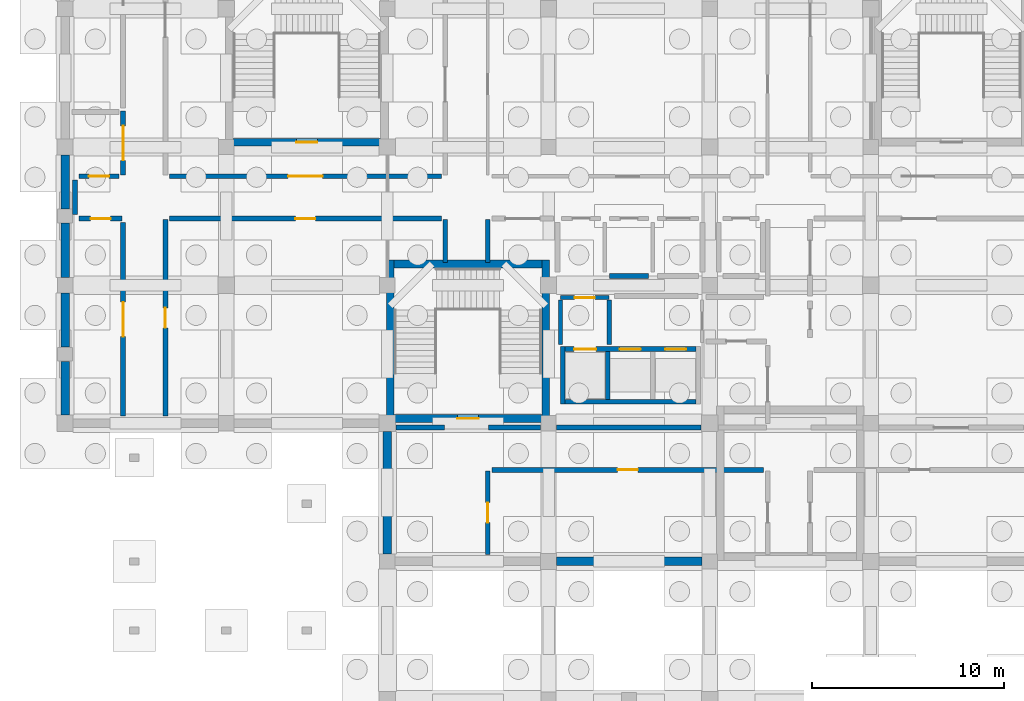
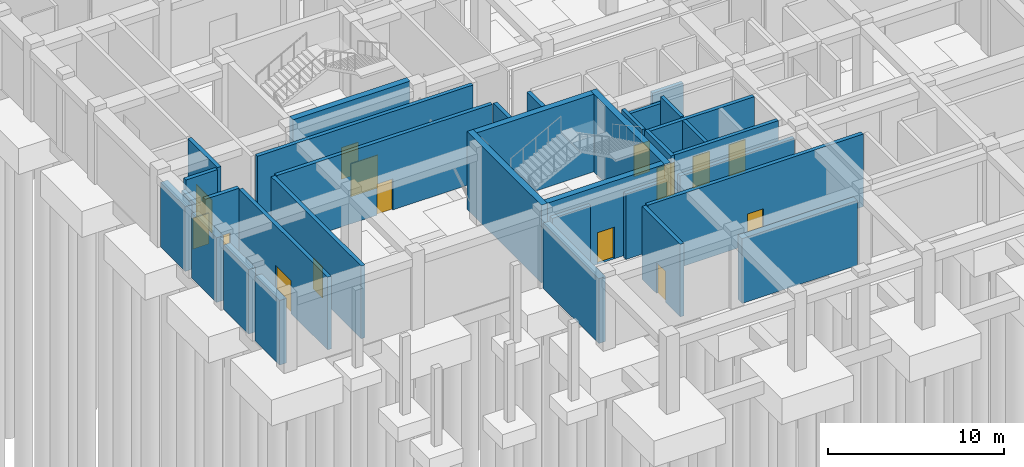
# One storey, part 15 of 32: 34 walls, 15 doors, 15 openings.
"""IFC4 building model written with IfcOpenShell, lengths in metres."""

from ifc_helpers import new_model, si_unit, derived_unit, direction, frame, frame_2d, origin, place, context, subcontext, project, spatial, rectangle, extrude, material, layer, layer_set, type_object, element, fill, save


model = new_model("IFC4")

# Units and contexts
model_context = context("Model", 3, precision=1e-05, world=origin(), true_north=direction((0.0, 1.0)))
body_context = subcontext(model_context, "Body", "Model", "MODEL_VIEW")
ifc_project = project(units=[si_unit("LENGTHUNIT", "METRE"), si_unit("AREAUNIT", "SQUARE_METRE"), si_unit("VOLUMEUNIT", "CUBIC_METRE"), si_unit("PLANEANGLEUNIT", "RADIAN"), si_unit("MASSUNIT", "GRAM", prefix="KILO"), derived_unit("THERMALTRANSMITTANCEUNIT", [(si_unit("POWERUNIT", "WATT"), 1), (si_unit("LENGTHUNIT", "METRE"), -2), (si_unit("THERMODYNAMICTEMPERATUREUNIT", "KELVIN"), -1)])], contexts=[model_context])

# Site, building, storey
site_placement = place(None, origin())
site = spatial("IfcSite", under=ifc_project, at=site_placement, CompositionType="ELEMENT")
building_placement = place(site_placement, origin())
building = spatial("IfcBuilding", under=site, at=building_placement, Name="Veybourne Emporium", CompositionType="ELEMENT")
storey_placement = place(building_placement, frame((0.0, 0.0, -5.39990234375)))
storey = spatial("IfcBuildingStorey", under=building, at=storey_placement, Name="B1", CompositionType="ELEMENT", Elevation=-5.39990234375)

# Walls
ifc_material_1 = material(Name="Concrete C40/50", Category="concrete")
ifc_layer_1 = layer(ifc_material_1, 0.449951171875)
ifc_layer_set_1 = layer_set([ifc_layer_1], Name="Concrete C40/50")
wall_type_1 = type_object("IfcWallType", Name="ExtWall_RW-01", PredefinedType="USERDEFINED", material=ifc_layer_set_1)
wall_1_placement = place(storey_placement, frame((0.0, 14.824951171875, 0.0), z_axis=(0.0, 0.0, 1.0), x_axis=(0.0, 1.0, 0.0)))
element("IfcWall", 1, at=wall_1_placement, inside=storey, type_object=wall_type_1, Name="Basement perimeter retaining wall 002A", ObjectType="RETAININGWALL", PredefinedType="USERDEFINED", context=body_context, shape_type="SweptSolid", body=[
    extrude(rectangle(XDim=2.804931640625, YDim=0.449951171875, at=frame_2d((1.40234375, 0.0))), origin(), (0.0, 0.0, 1.0), 4.5),
])
wall_2_placement = place(storey_placement, frame((0.0, 18.3701171875, 0.0), z_axis=(0.0, 0.0, 1.0), x_axis=(0.0, 1.0, 0.0)))
element("IfcWall", 2, at=wall_2_placement, inside=storey, type_object=wall_type_1, Name="Basement perimeter retaining wall 002B", ObjectType="RETAININGWALL", PredefinedType="USERDEFINED", context=body_context, shape_type="SweptSolid", body=[
    extrude(rectangle(XDim=2.829833984375, YDim=0.449951171875, at=frame_2d((1.4150390625, 0.0))), origin(), (0.0, 0.0, 1.0), 4.5),
])
wall_3_placement = place(storey_placement, frame((0.0, 22.0, 0.0), z_axis=(0.0, 0.0, 1.0), x_axis=(0.0, 1.0, 0.0)))
element("IfcWall", 3, at=wall_3_placement, inside=storey, type_object=wall_type_1, Name="Basement perimeter retaining wall 003A", ObjectType="RETAININGWALL", PredefinedType="USERDEFINED", context=body_context, shape_type="SweptSolid", body=[
    extrude(rectangle(XDim=2.830078125, YDim=0.449951171875, at=frame_2d((1.4150390625, 0.0))), origin(), (0.0, 0.0, 1.0), 4.5),
])
wall_4_placement = place(storey_placement, frame((0.0, 25.570068359375, 0.0), z_axis=(0.0, 0.0, 1.0), x_axis=(0.0, 1.0, 0.0)))
element("IfcWall", 4, at=wall_4_placement, inside=storey, type_object=wall_type_1, Name="Basement perimeter retaining wall 003B", ObjectType="RETAININGWALL", PredefinedType="USERDEFINED", context=body_context, shape_type="SweptSolid", body=[
    extrude(rectangle(XDim=2.804931640625, YDim=0.449951171875, at=frame_2d((1.40234375, 0.0))), origin(), (0.0, 0.0, 1.0), 4.5),
])
wall_5_placement = place(storey_placement, frame((16.800048828125, 7.60009765625, 0.0), z_axis=(0.0, 0.0, 1.0), x_axis=(0.0, 1.0, 0.0)))
element("IfcWall", 5, at=wall_5_placement, inside=storey, type_object=wall_type_1, Name="Basement perimeter retaining wall 015", ObjectType="RETAININGWALL", PredefinedType="USERDEFINED", context=body_context, shape_type="SweptSolid", body=[
    extrude(rectangle(XDim=6.375, YDim=0.449951171875, at=frame_2d((3.1875, 0.0))), origin(), (0.0, 0.0, 1.0), 4.5),
])
wall_6_placement = place(storey_placement, frame((33.199951171875, 7.199951171875, 0.0), z_axis=(0.0, 0.0, 1.0), x_axis=(-1.0, 0.0, 0.0)))
element("IfcWall", 6, at=wall_6_placement, inside=storey, type_object=wall_type_1, Name="Basement perimeter retaining wall 018", ObjectType="RETAININGWALL", PredefinedType="USERDEFINED", context=body_context, shape_type="SweptSolid", body=[
    extrude(rectangle(XDim=7.574951171875, YDim=0.449951171875, at=frame_2d((3.78759765625, 0.0))), origin(), (0.0, 0.0, 1.0), 4.5),
])

# Wall, opening, door
ifc_layer_2 = layer(ifc_material_1, 0.39990234375)
ifc_layer_set_2 = layer_set([ifc_layer_2], Name="Concrete C40/50")
wall_type_2 = type_object("IfcWallType", Name="IntWall_CW-01", PredefinedType="SHEAR", material=ifc_layer_set_2)
wall_7_placement = place(storey_placement, frame((24.85009765625, 14.64990234375, 0.0), z_axis=(0.0, 0.0, 1.0), x_axis=(-1.0, 0.0, 0.0)))
wall_7 = element("IfcWall", 7, at=wall_7_placement, inside=storey, type_object=wall_type_2, Name="Core stair ST-01 south shear wall (B1)", PredefinedType="SHEAR", context=body_context, shape_type="SweptSolid", body=[
    extrude(rectangle(XDim=7.7001953125, YDim=0.39990234375, at=frame_2d((3.85009765625, 0.0))), origin(), (0.0, 0.0, 1.0), 5.39990234375),
])
opening_1_placement = place(wall_7_placement, frame((3.300048828125, 0.0, 0.0)))
opening_1 = element("IfcOpeningElement", 8, at=opening_1_placement, cuts=wall_7, Name="Opening FD-01", PredefinedType="OPENING", context=body_context, shape_type="SweptSolid", body=[
    extrude(rectangle(XDim=1.10009765625, YDim=2.199951171875, at=frame_2d((0.550048828125, 1.10009765625))), frame((0.0, 0.219970703125, 0.0), z_axis=(0.0, -1.0, 0.0), x_axis=(1.0, 0.0, 0.0)), (0.0, 0.0, 1.0), 0.43994140625),
])
ifc_material_2 = material(Name="Patinated Architectural Bronze", Category="bronze")
door_type_1 = type_object("IfcDoorType", Name="FireDoor_FD-01", OperationType="NOTDEFINED", PredefinedType="DOOR", material=ifc_material_2)
door_1_placement = place(opening_1_placement, origin())
door_1 = element("IfcDoor", 9, at=door_1_placement, inside=storey, type_object=door_type_1, Name="Stair ST-01 fire door (B1)", OperationType="SINGLE_SWING_RIGHT", OverallHeight=2.199951171875, OverallWidth=1.10009765625, PredefinedType="DOOR", context=body_context, shape_type="SweptSolid", body=[
    extrude(rectangle(XDim=1.10009765625, YDim=2.199951171875, at=frame_2d((0.550048828125, 1.10009765625))), frame((0.0, 0.02490234375, 0.0), z_axis=(0.0, -1.0, 0.0), x_axis=(1.0, 0.0, 0.0)), (0.0, 0.0, 1.0), 0.050048828125),
])
fill(opening_1, door_1)

# Walls
wall_8_placement = place(storey_placement, frame((17.14990234375, 22.699951171875, 0.0), z_axis=(0.0, 0.0, 1.0), x_axis=(1.0, 0.0, 0.0)))
element("IfcWall", 10, at=wall_8_placement, inside=storey, type_object=wall_type_2, Name="Core stair ST-01 north shear wall (B1)", PredefinedType="SHEAR", context=body_context, shape_type="SweptSolid", body=[
    extrude(rectangle(XDim=7.7001953125, YDim=0.39990234375, at=frame_2d((3.85009765625, 0.0))), origin(), (0.0, 0.0, 1.0), 5.39990234375),
])
for number, where, z_axis, x_axis, name in (
    (11, (16.949951171875, 22.89990234375, 0.0), (0.0, 0.0, 1.0), (0.0, -1.0, 0.0), "Core stair ST-01 west shear wall (B1)"),
    (12, (25.050048828125, 14.449951171875, 0.0), (0.0, 0.0, 1.0), (0.0, 1.0, 0.0), "Core stair ST-01 east shear wall (B1)"),
):
    element("IfcWall", number, at=place(storey_placement, frame(where, z_axis=z_axis, x_axis=x_axis)), inside=storey, type_object=wall_type_2, Name=name, PredefinedType="SHEAR", context=body_context, shape_type="SweptSolid", body=[
        extrude(rectangle(XDim=8.449951171875, YDim=0.39990234375, at=frame_2d((4.22509765625, 0.0))), origin(), (0.0, 0.0, 1.0), 5.39990234375),
    ])

# Wall, opening, door
wall_9_placement = place(storey_placement, frame((16.449951171875, 29.050048828125, 0.0), z_axis=(0.0, 0.0, 1.0), x_axis=(-1.0, 0.0, 0.0)))
wall_9 = element("IfcWall", 13, at=wall_9_placement, inside=storey, type_object=wall_type_2, Name="Core stair ST-02 south shear wall (B1)", PredefinedType="SHEAR", context=body_context, shape_type="SweptSolid", body=[
    extrude(rectangle(XDim=7.699951171875, YDim=0.39990234375, at=frame_2d((3.85009765625, 0.0))), origin(), (0.0, 0.0, 1.0), 5.39990234375),
])
opening_2_placement = place(wall_9_placement, frame((3.300048828125, 0.0, 0.0)))
opening_2 = element("IfcOpeningElement", 14, at=opening_2_placement, cuts=wall_9, Name="Opening FD-01", PredefinedType="OPENING", context=body_context, shape_type="SweptSolid", body=[
    extrude(rectangle(XDim=1.10009765625, YDim=2.199951171875, at=frame_2d((0.550048828125, 1.10009765625))), frame((0.0, 0.219970703125, 0.0), z_axis=(0.0, -1.0, 0.0), x_axis=(1.0, 0.0, 0.0)), (0.0, 0.0, 1.0), 0.43994140625),
])
door_2_placement = place(opening_2_placement, origin())
door_2 = element("IfcDoor", 15, at=door_2_placement, inside=storey, type_object=door_type_1, Name="Stair ST-02 fire door (B1)", OperationType="SINGLE_SWING_LEFT", OverallHeight=2.199951171875, OverallWidth=1.10009765625, PredefinedType="DOOR", context=body_context, shape_type="SweptSolid", body=[
    extrude(rectangle(XDim=1.10009765625, YDim=2.199951171875, at=frame_2d((0.550048828125, 1.10009765625))), frame((0.0, 0.02490234375, 0.0), z_axis=(0.0, -1.0, 0.0), x_axis=(1.0, 0.0, 0.0)), (0.0, 0.0, 1.0), 0.050048828125),
])
fill(opening_2, door_2)

# Wall, openings, doors
ifc_layer_3 = layer(ifc_material_1, 0.239990234375)
ifc_layer_set_3 = layer_set([ifc_layer_3], Name="Concrete C40/50")
wall_type_3 = type_object("IfcWallType", Name="IntWall_CW-04", PredefinedType="SHEAR", material=ifc_layer_set_3)
wall_10_placement = place(storey_placement, frame((32.8798828125, 18.27001953125, 0.0), z_axis=(0.0, 0.0, 1.0), x_axis=(-1.0, 0.0, 0.0)))
wall_10 = element("IfcWall", 16, at=wall_10_placement, inside=storey, type_object=wall_type_3, Name="Lift core C1 north shaft wall (B1)", PredefinedType="SHEAR", context=body_context, shape_type="SweptSolid", body=[
    extrude(rectangle(XDim=6.81982421875, YDim=0.239990234375, at=frame_2d((3.409912109375, 0.0))), origin(), (0.0, 0.0, 1.0), 5.0498046875),
])
opening_3_placement = place(wall_10_placement, frame((5.195068359375, 0.0, 0.0)))
opening_3 = element("IfcOpeningElement", 17, at=opening_3_placement, cuts=wall_10, Name="Opening LD-02", PredefinedType="OPENING", context=body_context, shape_type="SweptSolid", body=[
    extrude(rectangle(XDim=1.14990234375, YDim=2.25, at=frame_2d((0.574951171875, 1.125))), frame((0.0, 0.14013671875, 0.0), z_axis=(0.0, -1.0, 0.0), x_axis=(1.0, 0.0, 0.0)), (0.0, 0.0, 1.0), 0.280029296875),
])
opening_4_placement = place(wall_10_placement, frame((2.8701171875, 0.0, 0.0)))
opening_4 = element("IfcOpeningElement", 18, at=opening_4_placement, cuts=wall_10, Name="Opening LD-01", PredefinedType="OPENING", context=body_context, shape_type="SweptSolid", body=[
    extrude(rectangle(XDim=1.10009765625, YDim=2.199951171875, at=frame_2d((0.550048828125, 1.10009765625))), frame((0.0, 0.14013671875, 0.0), z_axis=(0.0, -1.0, 0.0), x_axis=(1.0, 0.0, 0.0)), (0.0, 0.0, 1.0), 0.280029296875),
])
opening_5_placement = place(wall_10_placement, frame((0.510009765625, 0.0, 0.0)))
opening_5 = element("IfcOpeningElement", 19, at=opening_5_placement, cuts=wall_10, Name="Opening LD-01", PredefinedType="OPENING", context=body_context, shape_type="SweptSolid", body=[
    extrude(rectangle(XDim=1.10009765625, YDim=2.199951171875, at=frame_2d((0.550048828125, 1.10009765625))), frame((0.0, 0.14013671875, 0.0), z_axis=(0.0, -1.0, 0.0), x_axis=(1.0, 0.0, 0.0)), (0.0, 0.0, 1.0), 0.280029296875),
])
door_type_2 = type_object("IfcDoorType", Name="FireDoor_LD-01", OperationType="DOUBLE_DOOR_SLIDING", PredefinedType="DOOR", material=ifc_material_2)
door_3_placement = place(opening_4_placement, origin())
door_3 = element("IfcDoor", 20, at=door_3_placement, inside=storey, type_object=door_type_2, Name="Lift PL-01 sliding landing door (B1)", OperationType="DOUBLE_DOOR_SLIDING", OverallHeight=2.199951171875, OverallWidth=1.10009765625, PredefinedType="DOOR", context=body_context, shape_type="SweptSolid", body=[
    extrude(rectangle(XDim=1.10009765625, YDim=2.199951171875, at=frame_2d((0.550048828125, 1.10009765625))), frame((0.0, 0.02490234375, 0.0), z_axis=(0.0, -1.0, 0.0), x_axis=(1.0, 0.0, 0.0)), (0.0, 0.0, 1.0), 0.050048828125),
])
fill(opening_4, door_3)
door_4_placement = place(opening_5_placement, origin())
door_4 = element("IfcDoor", 21, at=door_4_placement, inside=storey, type_object=door_type_2, Name="Lift PL-02 sliding landing door (B1)", OperationType="DOUBLE_DOOR_SLIDING", OverallHeight=2.199951171875, OverallWidth=1.10009765625, PredefinedType="DOOR", context=body_context, shape_type="SweptSolid", body=[
    extrude(rectangle(XDim=1.10009765625, YDim=2.199951171875, at=frame_2d((0.550048828125, 1.10009765625))), frame((0.0, 0.02490234375, 0.0), z_axis=(0.0, -1.0, 0.0), x_axis=(1.0, 0.0, 0.0)), (0.0, 0.0, 1.0), 0.050048828125),
])
fill(opening_5, door_4)
door_type_3 = type_object("IfcDoorType", Name="FireDoor_LD-02", OperationType="SLIDING_TO_LEFT", PredefinedType="DOOR", material=ifc_material_2)
door_5_placement = place(opening_3_placement, origin())
door_5 = element("IfcDoor", 22, at=door_5_placement, inside=storey, type_object=door_type_3, Name="Lift FFL-01 sliding landing door (B1)", OperationType="SLIDING_TO_LEFT", OverallHeight=2.25, OverallWidth=1.14990234375, PredefinedType="DOOR", context=body_context, shape_type="SweptSolid", body=[
    extrude(rectangle(XDim=1.14990234375, YDim=2.25, at=frame_2d((0.574951171875, 1.125))), frame((0.0, 0.02490234375, 0.0), z_axis=(0.0, -1.0, 0.0), x_axis=(1.0, 0.0, 0.0)), (0.0, 0.0, 1.0), 0.050048828125),
])
fill(opening_3, door_5)

# Walls
wall_11_placement = place(storey_placement, frame((26.06005859375, 15.530029296875, 0.0), z_axis=(0.0, 0.0, 1.0), x_axis=(1.0, 0.0, 0.0)))
element("IfcWall", 23, at=wall_11_placement, inside=storey, type_object=wall_type_3, Name="Lift core C1 south shaft wall (B1)", PredefinedType="SHEAR", context=body_context, shape_type="SweptSolid", body=[
    extrude(rectangle(XDim=6.81982421875, YDim=0.239990234375, at=frame_2d((3.409912109375, 0.0))), origin(), (0.0, 0.0, 1.0), 5.0498046875),
])
wall_12_placement = place(storey_placement, frame((25.93994140625, 18.389892578125, 0.0), z_axis=(0.0, 0.0, 1.0), x_axis=(0.0, -1.0, 0.0)))
element("IfcWall", 24, at=wall_12_placement, inside=storey, type_object=wall_type_3, Name="Lift core C1 west shaft wall (B1)", PredefinedType="SHEAR", context=body_context, shape_type="SweptSolid", body=[
    extrude(rectangle(XDim=2.97998046875, YDim=0.239990234375, at=frame_2d((1.489990234375, 0.0))), origin(), (0.0, 0.0, 1.0), 5.0498046875),
])
wall_13_placement = place(storey_placement, frame((28.280029296875, 15.64990234375, 0.0), z_axis=(0.0, 0.0, 1.0), x_axis=(0.0, 1.0, 0.0)))
element("IfcWall", 25, at=wall_13_placement, inside=storey, type_object=wall_type_3, Name="Lift core C1 divider wall 1 (B1)", PredefinedType="SHEAR", context=body_context, shape_type="SweptSolid", body=[
    extrude(rectangle(XDim=2.5, YDim=0.239990234375, at=frame_2d((1.25, 0.0))), origin(), (0.0, 0.0, 1.0), 5.0498046875),
])
ifc_material_3 = material(Name="Concrete C32/40", Category="concrete")
ifc_layer_4 = layer(ifc_material_3, 0.25)
ifc_layer_set_4 = layer_set([ifc_layer_4], Name="Concrete C32/40")
wall_type_4 = type_object("IfcWallType", Name="IntWall_FW-01", PredefinedType="SOLIDWALL", material=ifc_layer_set_4)
wall_14_placement = place(storey_placement, frame((22.080078125, 14.179931640625, 0.0), z_axis=(0.0, 0.0, 1.0), x_axis=(1.0, 0.0, 0.0)))
element("IfcWall", 26, at=wall_14_placement, inside=storey, type_object=wall_type_4, Name="B1 interior partition FW-01 #018", PredefinedType="SOLIDWALL", context=body_context, shape_type="SweptSolid", body=[
    extrude(rectangle(XDim=2.699951171875, YDim=0.25, at=frame_2d((1.35009765625, 0.0))), origin(), (0.0, 0.0, 1.0), 4.5498046875),
])
wall_15_placement = place(storey_placement, frame((25.6201171875, 14.179931640625, 0.0), z_axis=(0.0, 0.0, 1.0), x_axis=(1.0, 0.0, 0.0)))
element("IfcWall", 27, at=wall_15_placement, inside=storey, type_object=wall_type_4, Name="B1 interior partition FW-01 #019", PredefinedType="SOLIDWALL", context=body_context, shape_type="SweptSolid", body=[
    extrude(rectangle(XDim=7.534912109375, YDim=0.25, at=frame_2d((3.767578125, 0.0))), origin(), (0.0, 0.0, 1.0), 4.5498046875),
])

# Wall, opening, door
wall_16_placement = place(storey_placement, frame((22.239990234375, 11.969970703125, 0.0), z_axis=(0.0, 0.0, 1.0), x_axis=(1.0, 0.0, 0.0)))
wall_16 = element("IfcWall", 28, at=wall_16_placement, inside=storey, type_object=wall_type_4, Name="B1 interior partition FW-01 #028", PredefinedType="SOLIDWALL", context=body_context, shape_type="SweptSolid", body=[
    extrude(rectangle(XDim=14.169921875, YDim=0.25, at=frame_2d((7.0849609375, 0.0))), origin(), (0.0, 0.0, 1.0), 5.0498046875),
])
opening_6_placement = place(wall_16_placement, frame((6.56005859375, 0.0, 0.0)))
opening_6 = element("IfcOpeningElement", 29, at=opening_6_placement, cuts=wall_16, Name="Opening FD-02", PredefinedType="OPENING", context=body_context, shape_type="SweptSolid", body=[
    extrude(rectangle(XDim=1.050048828125, YDim=2.14990234375, at=frame_2d((0.52490234375, 1.074951171875))), frame((0.0, 0.14501953125, 0.0), z_axis=(0.0, -1.0, 0.0), x_axis=(1.0, 0.0, 0.0)), (0.0, 0.0, 1.0), 0.2900390625),
])
door_type_4 = type_object("IfcDoorType", Name="FireDoor_FD-02", OperationType="NOTDEFINED", PredefinedType="DOOR", material=ifc_material_2)
door_6_placement = place(opening_6_placement, origin())
door_6 = element("IfcDoor", 30, at=door_6_placement, inside=storey, type_object=door_type_4, Name="B1 interior door FD-02 (PART-B1-028)", OperationType="SINGLE_SWING_RIGHT", OverallHeight=2.14990234375, OverallWidth=1.050048828125, PredefinedType="DOOR", context=body_context, shape_type="SweptSolid", body=[
    extrude(rectangle(XDim=1.050048828125, YDim=2.14990234375, at=frame_2d((0.52490234375, 1.074951171875))), frame((0.0, 0.02490234375, 0.0), z_axis=(0.0, -1.0, 0.0), x_axis=(1.0, 0.0, 0.0)), (0.0, 0.0, 1.0), 0.050048828125),
])
fill(opening_6, door_6)

wall_17_placement = place(storey_placement, frame((5.43994140625, 25.070068359375, 0.0), z_axis=(0.0, 0.0, 1.0), x_axis=(1.0, 0.0, 0.0)))
wall_17 = element("IfcWall", 31, at=wall_17_placement, inside=storey, type_object=wall_type_4, Name="B1 interior partition FW-01 #029", PredefinedType="SOLIDWALL", context=body_context, shape_type="SweptSolid", body=[
    extrude(rectangle(XDim=14.170166015625, YDim=0.25, at=frame_2d((7.0849609375, 0.0))), origin(), (0.0, 0.0, 1.0), 5.0498046875),
])
opening_7_placement = place(wall_17_placement, frame((6.56005859375, 0.0, 0.0)))
opening_7 = element("IfcOpeningElement", 32, at=opening_7_placement, cuts=wall_17, Name="Opening FD-02", PredefinedType="OPENING", context=body_context, shape_type="SweptSolid", body=[
    extrude(rectangle(XDim=1.050048828125, YDim=2.14990234375, at=frame_2d((0.52490234375, 1.074951171875))), frame((0.0, 0.14501953125, 0.0), z_axis=(0.0, -1.0, 0.0), x_axis=(1.0, 0.0, 0.0)), (0.0, 0.0, 1.0), 0.2900390625),
])
door_7_placement = place(opening_7_placement, origin())
door_7 = element("IfcDoor", 33, at=door_7_placement, inside=storey, type_object=door_type_4, Name="B1 interior door FD-02 (PART-B1-029)", OperationType="SINGLE_SWING_LEFT", OverallHeight=2.14990234375, OverallWidth=1.050048828125, PredefinedType="DOOR", context=body_context, shape_type="SweptSolid", body=[
    extrude(rectangle(XDim=1.050048828125, YDim=2.14990234375, at=frame_2d((0.52490234375, 1.074951171875))), frame((0.0, 0.02490234375, 0.0), z_axis=(0.0, -1.0, 0.0), x_axis=(1.0, 0.0, 0.0)), (0.0, 0.0, 1.0), 0.050048828125),
])
fill(opening_7, door_7)

wall_18_placement = place(storey_placement, frame((5.43994140625, 27.280029296875, 0.0), z_axis=(0.0, 0.0, 1.0), x_axis=(1.0, 0.0, 0.0)))
wall_18 = element("IfcWall", 34, at=wall_18_placement, inside=storey, type_object=wall_type_4, Name="B1 interior partition FW-01 #032", PredefinedType="SOLIDWALL", context=body_context, shape_type="SweptSolid", body=[
    extrude(rectangle(XDim=14.170166015625, YDim=0.25, at=frame_2d((7.0849609375, 0.0))), origin(), (0.0, 0.0, 1.0), 5.0498046875),
])
opening_8_placement = place(wall_18_placement, frame((6.18505859375, 0.0, 0.0)))
opening_8 = element("IfcOpeningElement", 35, at=opening_8_placement, cuts=wall_18, Name="Opening FD-03", PredefinedType="OPENING", context=body_context, shape_type="SweptSolid", body=[
    extrude(rectangle(XDim=1.800048828125, YDim=2.300048828125, at=frame_2d((0.89990234375, 1.14990234375))), frame((0.0, 0.14501953125, 0.0), z_axis=(0.0, -1.0, 0.0), x_axis=(1.0, 0.0, 0.0)), (0.0, 0.0, 1.0), 0.2900390625),
])
door_type_5 = type_object("IfcDoorType", Name="FireDoor_FD-03", OperationType="DOUBLE_DOOR_SINGLE_SWING", PredefinedType="DOOR", material=ifc_material_2)
door_8_placement = place(opening_8_placement, origin())
door_8 = element("IfcDoor", 36, at=door_8_placement, inside=storey, type_object=door_type_5, Name="B1 interior door FD-03 (PART-B1-032)", OperationType="DOUBLE_DOOR_SINGLE_SWING", OverallHeight=2.300048828125, OverallWidth=1.800048828125, PredefinedType="DOOR", context=body_context, shape_type="SweptSolid", body=[
    extrude(rectangle(XDim=1.800048828125, YDim=2.300048828125, at=frame_2d((0.89990234375, 1.14990234375))), frame((0.0, 0.02490234375, 0.0), z_axis=(0.0, -1.0, 0.0), x_axis=(1.0, 0.0, 0.0)), (0.0, 0.0, 1.0), 0.050048828125),
])
fill(opening_8, door_8)

wall_19_placement = place(storey_placement, frame((5.22998046875, 14.77001953125, 0.0), z_axis=(0.0, 0.0, 1.0), x_axis=(0.0, 1.0, 0.0)))
wall_19 = element("IfcWall", 37, at=wall_19_placement, inside=storey, type_object=wall_type_4, Name="B1 interior partition FW-01 #048", PredefinedType="SOLIDWALL", context=body_context, shape_type="SweptSolid", body=[
    extrude(rectangle(XDim=10.25, YDim=0.25, at=frame_2d((5.125, 0.0))), origin(), (0.0, 0.0, 1.0), 5.0498046875),
])
opening_9_placement = place(wall_19_placement, frame((4.60009765625, 0.0, 0.0)))
opening_9 = element("IfcOpeningElement", 38, at=opening_9_placement, cuts=wall_19, Name="Opening FD-02", PredefinedType="OPENING", context=body_context, shape_type="SweptSolid", body=[
    extrude(rectangle(XDim=1.050048828125, YDim=2.14990234375, at=frame_2d((0.52490234375, 1.074951171875))), frame((0.0, 0.14501953125, 0.0), z_axis=(0.0, -1.0, 0.0), x_axis=(1.0, 0.0, 0.0)), (0.0, 0.0, 1.0), 0.2900390625),
])
door_9_placement = place(opening_9_placement, origin())
door_9 = element("IfcDoor", 39, at=door_9_placement, inside=storey, type_object=door_type_4, Name="B1 interior door FD-02 (PART-B1-048)", OperationType="SINGLE_SWING_LEFT", OverallHeight=2.14990234375, OverallWidth=1.050048828125, PredefinedType="DOOR", context=body_context, shape_type="SweptSolid", body=[
    extrude(rectangle(XDim=1.050048828125, YDim=2.14990234375, at=frame_2d((0.52490234375, 1.074951171875))), frame((0.0, 0.02490234375, 0.0), z_axis=(0.0, -1.0, 0.0), x_axis=(1.0, 0.0, 0.0)), (0.0, 0.0, 1.0), 0.050048828125),
])
fill(opening_9, door_9)

wall_20_placement = place(storey_placement, frame((3.02001953125, 14.77001953125, 0.0), z_axis=(0.0, 0.0, 1.0), x_axis=(0.0, 1.0, 0.0)))
wall_20 = element("IfcWall", 40, at=wall_20_placement, inside=storey, type_object=wall_type_4, Name="B1 interior partition FW-01 #049", PredefinedType="SOLIDWALL", context=body_context, shape_type="SweptSolid", body=[
    extrude(rectangle(XDim=10.090087890625, YDim=0.25, at=frame_2d((5.044921875, 0.0))), origin(), (0.0, 0.0, 1.0), 5.0498046875),
])
opening_10_placement = place(wall_20_placement, frame((4.14501953125, 0.0, 0.0)))
opening_10 = element("IfcOpeningElement", 41, at=opening_10_placement, cuts=wall_20, Name="Opening FD-03", PredefinedType="OPENING", context=body_context, shape_type="SweptSolid", body=[
    extrude(rectangle(XDim=1.800048828125, YDim=2.300048828125, at=frame_2d((0.89990234375, 1.14990234375))), frame((0.0, 0.14501953125, 0.0), z_axis=(0.0, -1.0, 0.0), x_axis=(1.0, 0.0, 0.0)), (0.0, 0.0, 1.0), 0.2900390625),
])
door_10_placement = place(opening_10_placement, origin())
door_10 = element("IfcDoor", 42, at=door_10_placement, inside=storey, type_object=door_type_5, Name="B1 interior door FD-03 (PART-B1-049)", OperationType="DOUBLE_DOOR_SINGLE_SWING", OverallHeight=2.300048828125, OverallWidth=1.800048828125, PredefinedType="DOOR", context=body_context, shape_type="SweptSolid", body=[
    extrude(rectangle(XDim=1.800048828125, YDim=2.300048828125, at=frame_2d((0.89990234375, 1.14990234375))), frame((0.0, 0.02490234375, 0.0), z_axis=(0.0, -1.0, 0.0), x_axis=(1.0, 0.0, 0.0)), (0.0, 0.0, 1.0), 0.050048828125),
])
fill(opening_10, door_10)

wall_21_placement = place(storey_placement, frame((22.030029296875, 7.570068359375, 0.0), z_axis=(0.0, 0.0, 1.0), x_axis=(0.0, 1.0, 0.0)))
wall_21 = element("IfcWall", 43, at=wall_21_placement, inside=storey, type_object=wall_type_4, Name="B1 interior partition FW-01 #074", PredefinedType="SOLIDWALL", context=body_context, shape_type="SweptSolid", body=[
    extrude(rectangle(XDim=4.349853515625, YDim=0.25, at=frame_2d((2.1748046875, 0.0))), origin(), (0.0, 0.0, 1.0), 5.0498046875),
])
opening_11_placement = place(wall_21_placement, frame((1.64990234375, 0.0, 0.0)))
opening_11 = element("IfcOpeningElement", 44, at=opening_11_placement, cuts=wall_21, Name="Opening FD-02", PredefinedType="OPENING", context=body_context, shape_type="SweptSolid", body=[
    extrude(rectangle(XDim=1.050048828125, YDim=2.14990234375, at=frame_2d((0.52490234375, 1.074951171875))), frame((0.0, 0.14501953125, 0.0), z_axis=(0.0, -1.0, 0.0), x_axis=(1.0, 0.0, 0.0)), (0.0, 0.0, 1.0), 0.2900390625),
])
door_11_placement = place(opening_11_placement, origin())
door_11 = element("IfcDoor", 45, at=door_11_placement, inside=storey, type_object=door_type_4, Name="B1 interior door FD-02 (PART-B1-074)", OperationType="SINGLE_SWING_LEFT", OverallHeight=2.14990234375, OverallWidth=1.050048828125, PredefinedType="DOOR", context=body_context, shape_type="SweptSolid", body=[
    extrude(rectangle(XDim=1.050048828125, YDim=2.14990234375, at=frame_2d((0.52490234375, 1.074951171875))), frame((0.0, 0.02490234375, 0.0), z_axis=(0.0, -1.0, 0.0), x_axis=(1.0, 0.0, 0.0)), (0.0, 0.0, 1.0), 0.050048828125),
])
fill(opening_11, door_11)

wall_22_placement = place(storey_placement, frame((3.02001953125, 27.330078125, 0.0), z_axis=(0.0, 0.0, 1.0), x_axis=(0.0, 1.0, 0.0)))
wall_22 = element("IfcWall", 46, at=wall_22_placement, inside=storey, type_object=wall_type_4, Name="B1 interior partition FW-01 #087", PredefinedType="SOLIDWALL", context=body_context, shape_type="SweptSolid", body=[
    extrude(rectangle(XDim=3.349853515625, YDim=0.25, at=frame_2d((1.6748046875, 0.0))), origin(), (0.0, 0.0, 1.0), 5.0498046875),
])
opening_12_placement = place(wall_22_placement, frame((0.77490234375, 0.0, 0.0)))
opening_12 = element("IfcOpeningElement", 47, at=opening_12_placement, cuts=wall_22, Name="Opening FD-03", PredefinedType="OPENING", context=body_context, shape_type="SweptSolid", body=[
    extrude(rectangle(XDim=1.800048828125, YDim=2.300048828125, at=frame_2d((0.89990234375, 1.14990234375))), frame((0.0, 0.14501953125, 0.0), z_axis=(0.0, -1.0, 0.0), x_axis=(1.0, 0.0, 0.0)), (0.0, 0.0, 1.0), 0.2900390625),
])
door_12_placement = place(opening_12_placement, origin())
door_12 = element("IfcDoor", 48, at=door_12_placement, inside=storey, type_object=door_type_5, Name="B1 interior door FD-03 (PART-B1-087)", OperationType="DOUBLE_DOOR_SINGLE_SWING", OverallHeight=2.300048828125, OverallWidth=1.800048828125, PredefinedType="DOOR", context=body_context, shape_type="SweptSolid", body=[
    extrude(rectangle(XDim=1.800048828125, YDim=2.300048828125, at=frame_2d((0.89990234375, 1.14990234375))), frame((0.0, 0.02490234375, 0.0), z_axis=(0.0, -1.0, 0.0), x_axis=(1.0, 0.0, 0.0)), (0.0, 0.0, 1.0), 0.050048828125),
])
fill(opening_12, door_12)

# Wall
wall_23_placement = place(storey_placement, frame((17.2451171875, 14.179931640625, 0.0), z_axis=(0.0, 0.0, 1.0), x_axis=(1.0, 0.0, 0.0)))
element("IfcWall", 49, at=wall_23_placement, inside=storey, type_object=wall_type_4, Name="B1 interior partition FW-01 #091", PredefinedType="SOLIDWALL", context=body_context, shape_type="SweptSolid", body=[
    extrude(rectangle(XDim=2.52490234375, YDim=0.25, at=frame_2d((1.262451171875, 0.0))), origin(), (0.0, 0.0, 1.0), 4.5498046875),
])

# Wall, opening, door
wall_24_placement = place(storey_placement, frame((0.72998046875, 25.070068359375, 0.0), z_axis=(0.0, 0.0, 1.0), x_axis=(1.0, 0.0, 0.0)))
wall_24 = element("IfcWall", 50, at=wall_24_placement, inside=storey, type_object=wall_type_4, Name="B1 interior partition FW-01 #098", PredefinedType="SOLIDWALL", context=body_context, shape_type="SweptSolid", body=[
    extrude(rectangle(XDim=2.239990234375, YDim=0.25, at=frame_2d((1.1201171875, 0.0))), origin(), (0.0, 0.0, 1.0), 5.0498046875),
])
opening_13_placement = place(wall_24_placement, frame((0.594970703125, 0.0, 0.0)))
opening_13 = element("IfcOpeningElement", 51, at=opening_13_placement, cuts=wall_24, Name="Opening FD-02", PredefinedType="OPENING", context=body_context, shape_type="SweptSolid", body=[
    extrude(rectangle(XDim=1.050048828125, YDim=2.14990234375, at=frame_2d((0.52490234375, 1.074951171875))), frame((0.0, 0.14501953125, 0.0), z_axis=(0.0, -1.0, 0.0), x_axis=(1.0, 0.0, 0.0)), (0.0, 0.0, 1.0), 0.2900390625),
])
door_13_placement = place(opening_13_placement, origin())
door_13 = element("IfcDoor", 52, at=door_13_placement, inside=storey, type_object=door_type_4, Name="B1 interior door FD-02 (PART-B1-098)", OperationType="SINGLE_SWING_LEFT", OverallHeight=2.14990234375, OverallWidth=1.050048828125, PredefinedType="DOOR", context=body_context, shape_type="SweptSolid", body=[
    extrude(rectangle(XDim=1.050048828125, YDim=2.14990234375, at=frame_2d((0.52490234375, 1.074951171875))), frame((0.0, 0.02490234375, 0.0), z_axis=(0.0, -1.0, 0.0), x_axis=(1.0, 0.0, 0.0)), (0.0, 0.0, 1.0), 0.050048828125),
])
fill(opening_13, door_13)

# Walls
for number, where, z_axis, x_axis, name in (
    (53, (19.820068359375, 22.7900390625, 0.0), (0.0, 0.0, 1.0), (0.0, 1.0, 0.0), "B1 interior partition FW-01 #101"),
    (54, (22.030029296875, 22.7900390625, 0.0), (0.0, 0.0, 1.0), (0.0, 1.0, 0.0), "B1 interior partition FW-01 #102"),
):
    element("IfcWall", number, at=place(storey_placement, frame(where, z_axis=z_axis, x_axis=x_axis)), inside=storey, type_object=wall_type_4, Name=name, PredefinedType="SOLIDWALL", context=body_context, shape_type="SweptSolid", body=[
        extrude(rectangle(XDim=2.22998046875, YDim=0.25, at=frame_2d((1.114990234375, 0.0))), origin(), (0.0, 0.0, 1.0), 5.0498046875),
    ])

# Wall, opening, door
wall_25_placement = place(storey_placement, frame((0.72998046875, 27.280029296875, 0.0), z_axis=(0.0, 0.0, 1.0), x_axis=(1.0, 0.0, 0.0)))
wall_25 = element("IfcWall", 55, at=wall_25_placement, inside=storey, type_object=wall_type_4, Name="B1 interior partition FW-01 #106", PredefinedType="SOLIDWALL", context=body_context, shape_type="SweptSolid", body=[
    extrude(rectangle(XDim=2.080078125, YDim=0.25, at=frame_2d((1.0400390625, 0.0))), origin(), (0.0, 0.0, 1.0), 5.0498046875),
])
opening_14_placement = place(wall_25_placement, frame((0.514892578125, 0.0, 0.0)))
opening_14 = element("IfcOpeningElement", 56, at=opening_14_placement, cuts=wall_25, Name="Opening FD-02", PredefinedType="OPENING", context=body_context, shape_type="SweptSolid", body=[
    extrude(rectangle(XDim=1.050048828125, YDim=2.14990234375, at=frame_2d((0.52490234375, 1.074951171875))), frame((0.0, 0.14501953125, 0.0), z_axis=(0.0, -1.0, 0.0), x_axis=(1.0, 0.0, 0.0)), (0.0, 0.0, 1.0), 0.2900390625),
])
door_14_placement = place(opening_14_placement, origin())
door_14 = element("IfcDoor", 57, at=door_14_placement, inside=storey, type_object=door_type_4, Name="B1 interior door FD-02 (PART-B1-106)", OperationType="SINGLE_SWING_RIGHT", OverallHeight=2.14990234375, OverallWidth=1.050048828125, PredefinedType="DOOR", context=body_context, shape_type="SweptSolid", body=[
    extrude(rectangle(XDim=1.050048828125, YDim=2.14990234375, at=frame_2d((0.52490234375, 1.074951171875))), frame((0.0, 0.02490234375, 0.0), z_axis=(0.0, -1.0, 0.0), x_axis=(1.0, 0.0, 0.0)), (0.0, 0.0, 1.0), 0.050048828125),
])
fill(opening_14, door_14)

# Walls
wall_26_placement = place(storey_placement, frame((0.52001953125, 25.280029296875, 0.0), z_axis=(0.0, 0.0, 1.0), x_axis=(0.0, 1.0, 0.0)))
element("IfcWall", 58, at=wall_26_placement, inside=storey, type_object=wall_type_4, Name="B1 interior partition FW-01 #123", PredefinedType="SOLIDWALL", context=body_context, shape_type="SweptSolid", body=[
    extrude(rectangle(XDim=1.7900390625, YDim=0.25, at=frame_2d((0.89501953125, 0.0))), origin(), (0.0, 0.0, 1.0), 4.5),
])
wall_27_placement = place(storey_placement, frame((28.3798828125, 22.070068359375, 0.0), z_axis=(0.0, 0.0, 1.0), x_axis=(1.0, 0.0, 0.0)))
element("IfcWall", 59, at=wall_27_placement, inside=storey, type_object=wall_type_4, Name="B1 interior partition FW-01 #190", PredefinedType="SOLIDWALL", context=body_context, shape_type="SweptSolid", body=[
    extrude(rectangle(XDim=2.0400390625, YDim=0.25, at=frame_2d((1.02001953125, 0.0))), origin(), (0.0, 0.0, 1.0), 4.5498046875),
])

# Wall, opening, door
ifc_layer_5 = layer(ifc_material_3, 0.219970703125)
ifc_layer_set_5 = layer_set([ifc_layer_5], Name="Concrete C32/40")
wall_type_5 = type_object("IfcWallType", Name="IntWall_FW-02", PredefinedType="SOLIDWALL", material=ifc_layer_set_5)
wall_28_placement = place(storey_placement, frame((25.820068359375, 20.949951171875, 0.0), z_axis=(0.0, 0.0, 1.0), x_axis=(1.0, 0.0, 0.0)))
wall_28 = element("IfcWall", 60, at=wall_28_placement, inside=storey, type_object=wall_type_5, Name="Firefighting lobby C1 fire wall N (B1)", PredefinedType="SOLIDWALL", context=body_context, shape_type="SweptSolid", body=[
    extrude(rectangle(XDim=2.5400390625, YDim=0.219970703125, at=frame_2d((1.27001953125, 0.0))), origin(), (0.0, 0.0, 1.0), 4.5498046875),
])
opening_15_placement = place(wall_28_placement, frame((0.7451171875, 0.0, 0.0)))
opening_15 = element("IfcOpeningElement", 61, at=opening_15_placement, cuts=wall_28, Name="Opening FD-02", PredefinedType="OPENING", context=body_context, shape_type="SweptSolid", body=[
    extrude(rectangle(XDim=1.050048828125, YDim=2.14990234375, at=frame_2d((0.52490234375, 1.074951171875))), frame((0.0, 0.1298828125, 0.0), z_axis=(0.0, -1.0, 0.0), x_axis=(1.0, 0.0, 0.0)), (0.0, 0.0, 1.0), 0.260009765625),
])
door_15_placement = place(opening_15_placement, origin())
door_15 = element("IfcDoor", 62, at=door_15_placement, inside=storey, type_object=door_type_4, Name="Firefighting lobby C1 FD60S door N (B1)", OperationType="SINGLE_SWING_RIGHT", OverallHeight=2.14990234375, OverallWidth=1.050048828125, PredefinedType="DOOR", context=body_context, shape_type="SweptSolid", body=[
    extrude(rectangle(XDim=1.050048828125, YDim=2.14990234375, at=frame_2d((0.52490234375, 1.074951171875))), frame((0.0, 0.02490234375, 0.0), z_axis=(0.0, -1.0, 0.0), x_axis=(1.0, 0.0, 0.0)), (0.0, 0.0, 1.0), 0.050048828125),
])
fill(opening_15, door_15)

# Walls
for number, where, z_axis, x_axis, name in (
    (63, (25.820068359375, 18.510009765625, 0.0), (0.0, 0.0, 1.0), (0.0, 1.0, 0.0), "Firefighting lobby C1 fire wall W (B1)"),
    (64, (28.360107421875, 18.510009765625, 0.0), (0.0, 0.0, 1.0), (0.0, 1.0, 0.0), "Firefighting lobby C1 fire wall E (B1)"),
):
    element("IfcWall", number, at=place(storey_placement, frame(where, z_axis=z_axis, x_axis=x_axis)), inside=storey, type_object=wall_type_5, Name=name, PredefinedType="SOLIDWALL", context=body_context, shape_type="SweptSolid", body=[
        extrude(rectangle(XDim=2.320068359375, YDim=0.219970703125, at=frame_2d((1.16015625, 0.0))), origin(), (0.0, 0.0, 1.0), 5.0498046875),
    ])

save(model, "model.ifc")
